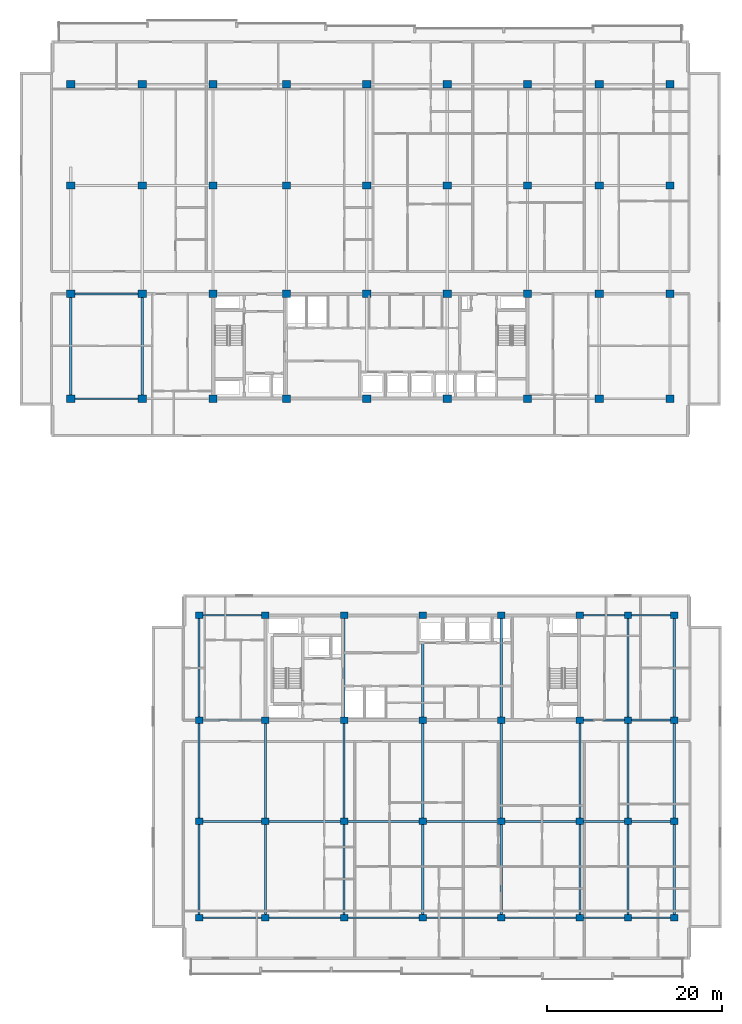
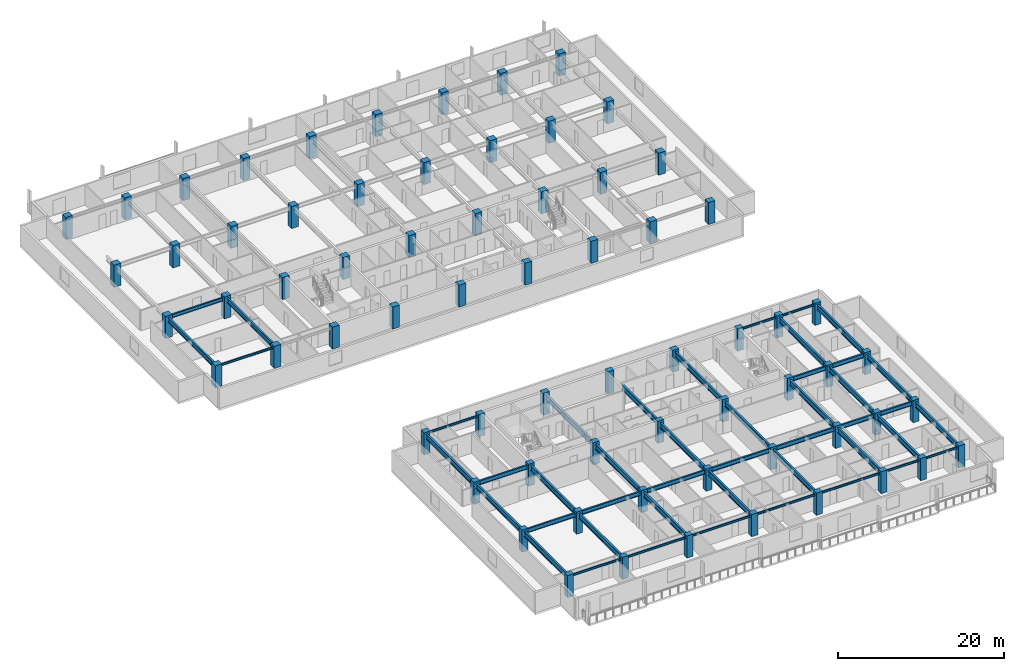
# One storey, part 1 of 22: 68 columns, 46 beams.
"""IFC4 building model written with IfcOpenShell, lengths in metres."""

from ifc_helpers import new_model, si_unit, direction, frame, origin, origin_2d, place, context, subcontext, project, spatial, rectangle, i_section, extrude, material, material_profile, profile_set, type_object, element, save


model = new_model("IFC4")

# Units and contexts
model_context = context("Model", 3, precision=1e-05, world=origin(), true_north=direction((0.0, 1.0)))
body_context = subcontext(model_context, "Body", "Model", "MODEL_VIEW")
ifc_project = project(units=[si_unit("LENGTHUNIT", "METRE"), si_unit("AREAUNIT", "SQUARE_METRE"), si_unit("VOLUMEUNIT", "CUBIC_METRE"), si_unit("PLANEANGLEUNIT", "RADIAN"), si_unit("MASSUNIT", "GRAM", prefix="KILO")], contexts=[model_context])

# Site, building, storey
site_placement = place(None, origin())
site = spatial("IfcSite", under=ifc_project, at=site_placement, CompositionType="ELEMENT")
building_placement = place(site_placement, origin())
building = spatial("IfcBuilding", under=site, at=building_placement, Name="Korimba Cascade Residences", CompositionType="ELEMENT")
storey_placement = place(building_placement, frame((0.0, 0.0, 110.050048828125)))
storey = spatial("IfcBuildingStorey", under=building, at=storey_placement, Name="L31", CompositionType="ELEMENT", Elevation=110.050048828125)

# Columns
ifc_material_1 = material(Name="Concrete C65/80", Category="concrete")
ifc_material_profile_1 = material_profile(ifc_material_1, rectangle(XDim=0.85009765625, YDim=0.75, at=origin_2d()), Name="Concrete C65/80")
ifc_profile_set_1 = profile_set([ifc_material_profile_1], Name="Concrete C65/80")
column_type_1 = type_object("IfcColumnType", Name="COL-RC-850", PredefinedType="COLUMN", material=ifc_profile_set_1)
for number, where, z_axis, x_axis, name in (
    (1, (74.5, -4.199951171875, 0.0), (0.0, 0.0, 1.0), (1.0, 0.0, 0.0), "L31 Tower 2 Column 1.1"),
    (2, (74.5, 6.800048828125, 0.0), (0.0, 0.0, 1.0), (1.0, 0.0, 0.0), "L31 Tower 2 Column 1.2"),
    (3, (74.5, 18.39990234375, 0.0), (0.0, 0.0, 1.0), (1.0, 0.0, 0.0), "L31 Tower 2 Column 1.3"),
    (4, (74.5, 30.39990234375, 0.0), (0.0, 0.0, 1.0), (1.0, 0.0, 0.0), "L31 Tower 2 Column 1.4"),
    (5, (82.10009765625, -4.199951171875, 0.0), (0.0, 0.0, 1.0), (1.0, 0.0, 0.0), "L31 Tower 2 Column 2.1"),
    (6, (82.10009765625, 6.800048828125, 0.0), (0.0, 0.0, 1.0), (1.0, 0.0, 0.0), "L31 Tower 2 Column 2.2"),
    (7, (82.10009765625, 18.39990234375, 0.0), (0.0, 0.0, 1.0), (1.0, 0.0, 0.0), "L31 Tower 2 Column 2.3"),
    (8, (82.10009765625, 30.39990234375, 0.0), (0.0, 0.0, 1.0), (1.0, 0.0, 0.0), "L31 Tower 2 Column 2.4"),
    (9, (91.10009765625, -4.199951171875, 0.0), (0.0, 0.0, 1.0), (1.0, 0.0, 0.0), "L31 Tower 2 Column 3.1"),
    (10, (91.10009765625, 6.800048828125, 0.0), (0.0, 0.0, 1.0), (1.0, 0.0, 0.0), "L31 Tower 2 Column 3.2"),
    (11, (91.10009765625, 18.39990234375, 0.0), (0.0, 0.0, 1.0), (1.0, 0.0, 0.0), "L31 Tower 2 Column 3.3"),
    (12, (91.10009765625, 30.39990234375, 0.0), (0.0, 0.0, 1.0), (1.0, 0.0, 0.0), "L31 Tower 2 Column 3.4"),
    (13, (100.10009765625, -4.199951171875, 0.0), (0.0, 0.0, 1.0), (1.0, 0.0, 0.0), "L31 Tower 2 Column 4.1"),
    (14, (100.10009765625, 6.800048828125, 0.0), (0.0, 0.0, 1.0), (1.0, 0.0, 0.0), "L31 Tower 2 Column 4.2"),
    (15, (100.10009765625, 18.39990234375, 0.0), (0.0, 0.0, 1.0), (1.0, 0.0, 0.0), "L31 Tower 2 Column 4.3"),
    (16, (100.10009765625, 30.39990234375, 0.0), (0.0, 0.0, 1.0), (1.0, 0.0, 0.0), "L31 Tower 2 Column 4.4"),
    (17, (109.10009765625, -4.199951171875, 0.0), (0.0, 0.0, 1.0), (1.0, 0.0, 0.0), "L31 Tower 2 Column 5.1"),
    (18, (109.10009765625, 6.800048828125, 0.0), (0.0, 0.0, 1.0), (1.0, 0.0, 0.0), "L31 Tower 2 Column 5.2"),
    (19, (109.10009765625, 18.39990234375, 0.0), (0.0, 0.0, 1.0), (1.0, 0.0, 0.0), "L31 Tower 2 Column 5.3"),
    (20, (109.10009765625, 30.39990234375, 0.0), (0.0, 0.0, 1.0), (1.0, 0.0, 0.0), "L31 Tower 2 Column 5.4"),
    (21, (118.10009765625, -4.199951171875, 0.0), (0.0, 0.0, 1.0), (1.0, 0.0, 0.0), "L31 Tower 2 Column 6.1"),
    (22, (118.10009765625, 6.800048828125, 0.0), (0.0, 0.0, 1.0), (1.0, 0.0, 0.0), "L31 Tower 2 Column 6.2"),
    (23, (118.10009765625, 18.39990234375, 0.0), (0.0, 0.0, 1.0), (1.0, 0.0, 0.0), "L31 Tower 2 Column 6.3"),
    (24, (118.10009765625, 30.39990234375, 0.0), (0.0, 0.0, 1.0), (1.0, 0.0, 0.0), "L31 Tower 2 Column 6.4"),
    (25, (123.60009765625, -4.199951171875, 0.0), (0.0, 0.0, 1.0), (1.0, 0.0, 0.0), "L31 Tower 2 Column 7.1"),
    (26, (123.60009765625, 6.800048828125, 0.0), (0.0, 0.0, 1.0), (1.0, 0.0, 0.0), "L31 Tower 2 Column 7.2"),
    (27, (123.60009765625, 18.39990234375, 0.0), (0.0, 0.0, 1.0), (1.0, 0.0, 0.0), "L31 Tower 2 Column 7.3"),
    (28, (123.60009765625, 30.39990234375, 0.0), (0.0, 0.0, 1.0), (1.0, 0.0, 0.0), "L31 Tower 2 Column 7.4"),
    (29, (128.89990234375, -4.199951171875, 0.0), (0.0, 0.0, 1.0), (1.0, 0.0, 0.0), "L31 Tower 2 Column 8.1"),
    (30, (128.89990234375, 6.800048828125, 0.0), (0.0, 0.0, 1.0), (1.0, 0.0, 0.0), "L31 Tower 2 Column 8.2"),
    (31, (128.89990234375, 18.39990234375, 0.0), (0.0, 0.0, 1.0), (1.0, 0.0, 0.0), "L31 Tower 2 Column 8.3"),
    (32, (128.89990234375, 30.39990234375, 0.0), (0.0, 0.0, 1.0), (1.0, 0.0, 0.0), "L31 Tower 2 Column 8.4"),
):
    element("IfcColumn", number, at=place(storey_placement, frame(where, z_axis=z_axis, x_axis=x_axis)), inside=storey, type_object=column_type_1, Name=name, PredefinedType="COLUMN", context=body_context, shape_type="SweptSolid", body=[
        extrude(rectangle(XDim=0.85009765625, YDim=0.75, at=origin_2d()), origin(), (0.0, 0.0, 1.0), 3.25),
    ])
ifc_material_profile_2 = material_profile(ifc_material_1, rectangle(XDim=0.949951171875, YDim=0.85009765625, at=origin_2d()), Name="Concrete C65/80")
ifc_profile_set_2 = profile_set([ifc_material_profile_2], Name="Concrete C65/80")
column_type_2 = type_object("IfcColumnType", Name="COL-RC-950", PredefinedType="COLUMN", material=ifc_profile_set_2)
for number, where, z_axis, x_axis, name in (
    (33, (59.800048828125, 55.199951171875, 0.0), (0.0, 0.0, 1.0), (1.0, 0.0, 0.0), "L31 Tower 1 Column 1.1"),
    (34, (59.800048828125, 67.199951171875, 0.0), (0.0, 0.0, 1.0), (1.0, 0.0, 0.0), "L31 Tower 1 Column 1.2"),
    (35, (59.800048828125, 79.60009765625, 0.0), (0.0, 0.0, 1.0), (1.0, 0.0, 0.0), "L31 Tower 1 Column 1.3"),
    (36, (59.800048828125, 91.199951171875, 0.0), (0.0, 0.0, 1.0), (1.0, 0.0, 0.0), "L31 Tower 1 Column 1.4"),
    (37, (68.0, 55.199951171875, 0.0), (0.0, 0.0, 1.0), (1.0, 0.0, 0.0), "L31 Tower 1 Column 2.1"),
    (38, (68.0, 67.199951171875, 0.0), (0.0, 0.0, 1.0), (1.0, 0.0, 0.0), "L31 Tower 1 Column 2.2"),
    (39, (68.0, 79.60009765625, 0.0), (0.0, 0.0, 1.0), (1.0, 0.0, 0.0), "L31 Tower 1 Column 2.3"),
    (40, (68.0, 91.199951171875, 0.0), (0.0, 0.0, 1.0), (1.0, 0.0, 0.0), "L31 Tower 1 Column 2.4"),
    (41, (76.10009765625, 55.199951171875, 0.0), (0.0, 0.0, 1.0), (1.0, 0.0, 0.0), "L31 Tower 1 Column 3.1"),
    (42, (76.10009765625, 67.199951171875, 0.0), (0.0, 0.0, 1.0), (1.0, 0.0, 0.0), "L31 Tower 1 Column 3.2"),
    (43, (76.10009765625, 79.60009765625, 0.0), (0.0, 0.0, 1.0), (1.0, 0.0, 0.0), "L31 Tower 1 Column 3.3"),
    (44, (76.10009765625, 91.199951171875, 0.0), (0.0, 0.0, 1.0), (1.0, 0.0, 0.0), "L31 Tower 1 Column 3.4"),
    (45, (84.5, 55.199951171875, 0.0), (0.0, 0.0, 1.0), (1.0, 0.0, 0.0), "L31 Tower 1 Column 4.1"),
    (46, (84.5, 67.199951171875, 0.0), (0.0, 0.0, 1.0), (1.0, 0.0, 0.0), "L31 Tower 1 Column 4.2"),
    (47, (84.5, 79.60009765625, 0.0), (0.0, 0.0, 1.0), (1.0, 0.0, 0.0), "L31 Tower 1 Column 4.3"),
    (48, (84.5, 91.199951171875, 0.0), (0.0, 0.0, 1.0), (1.0, 0.0, 0.0), "L31 Tower 1 Column 4.4"),
    (49, (93.699951171875, 55.199951171875, 0.0), (0.0, 0.0, 1.0), (1.0, 0.0, 0.0), "L31 Tower 1 Column 5.1"),
    (50, (93.699951171875, 67.199951171875, 0.0), (0.0, 0.0, 1.0), (1.0, 0.0, 0.0), "L31 Tower 1 Column 5.2"),
    (51, (93.699951171875, 79.60009765625, 0.0), (0.0, 0.0, 1.0), (1.0, 0.0, 0.0), "L31 Tower 1 Column 5.3"),
    (52, (93.699951171875, 91.199951171875, 0.0), (0.0, 0.0, 1.0), (1.0, 0.0, 0.0), "L31 Tower 1 Column 5.4"),
    (53, (102.89990234375, 55.199951171875, 0.0), (0.0, 0.0, 1.0), (1.0, 0.0, 0.0), "L31 Tower 1 Column 6.1"),
    (54, (102.89990234375, 67.199951171875, 0.0), (0.0, 0.0, 1.0), (1.0, 0.0, 0.0), "L31 Tower 1 Column 6.2"),
    (55, (102.89990234375, 79.60009765625, 0.0), (0.0, 0.0, 1.0), (1.0, 0.0, 0.0), "L31 Tower 1 Column 6.3"),
    (56, (102.89990234375, 91.199951171875, 0.0), (0.0, 0.0, 1.0), (1.0, 0.0, 0.0), "L31 Tower 1 Column 6.4"),
    (57, (112.10009765625, 55.199951171875, 0.0), (0.0, 0.0, 1.0), (1.0, 0.0, 0.0), "L31 Tower 1 Column 7.1"),
    (58, (112.10009765625, 67.199951171875, 0.0), (0.0, 0.0, 1.0), (1.0, 0.0, 0.0), "L31 Tower 1 Column 7.2"),
    (59, (112.10009765625, 79.60009765625, 0.0), (0.0, 0.0, 1.0), (1.0, 0.0, 0.0), "L31 Tower 1 Column 7.3"),
    (60, (112.10009765625, 91.199951171875, 0.0), (0.0, 0.0, 1.0), (1.0, 0.0, 0.0), "L31 Tower 1 Column 7.4"),
    (61, (120.300048828125, 55.199951171875, 0.0), (0.0, 0.0, 1.0), (1.0, 0.0, 0.0), "L31 Tower 1 Column 8.1"),
    (62, (120.300048828125, 67.199951171875, 0.0), (0.0, 0.0, 1.0), (1.0, 0.0, 0.0), "L31 Tower 1 Column 8.2"),
    (63, (120.300048828125, 79.60009765625, 0.0), (0.0, 0.0, 1.0), (1.0, 0.0, 0.0), "L31 Tower 1 Column 8.3"),
    (64, (120.300048828125, 91.199951171875, 0.0), (0.0, 0.0, 1.0), (1.0, 0.0, 0.0), "L31 Tower 1 Column 8.4"),
    (65, (128.39990234375, 55.199951171875, 0.0), (0.0, 0.0, 1.0), (1.0, 0.0, 0.0), "L31 Tower 1 Column 9.1"),
    (66, (128.39990234375, 67.199951171875, 0.0), (0.0, 0.0, 1.0), (1.0, 0.0, 0.0), "L31 Tower 1 Column 9.2"),
    (67, (128.39990234375, 79.60009765625, 0.0), (0.0, 0.0, 1.0), (1.0, 0.0, 0.0), "L31 Tower 1 Column 9.3"),
    (68, (128.39990234375, 91.199951171875, 0.0), (0.0, 0.0, 1.0), (1.0, 0.0, 0.0), "L31 Tower 1 Column 9.4"),
):
    element("IfcColumn", number, at=place(storey_placement, frame(where, z_axis=z_axis, x_axis=x_axis)), inside=storey, type_object=column_type_2, Name=name, PredefinedType="COLUMN", context=body_context, shape_type="SweptSolid", body=[
        extrude(rectangle(XDim=0.949951171875, YDim=0.85009765625, at=origin_2d()), origin(), (0.0, 0.0, 1.0), 3.25),
    ])

# Beams
ifc_material_2 = material(Name="Steel S355", Category="steel")
ifc_material_profile_3 = material_profile(ifc_material_2, i_section(OverallWidth=0.165771484375, OverallDepth=0.306640625, WebThickness=0.006591796875, FlangeThickness=0.01171875, FilletRadius=0.0087890625, at=origin_2d()), Name="Steel S355")
ifc_profile_set_3 = profile_set([ifc_material_profile_3], Name="Steel S355")
beam_type_1 = type_object("IfcBeamType", Name="BM-STL-UB305", PredefinedType="SPANDREL", material=ifc_profile_set_3)
beam_1_placement = place(storey_placement, frame((60.27490234375, 55.199951171875, 2.816650390625), z_axis=(1.0, 0.0, 0.0), x_axis=(0.0, 1.0, 0.0)))
element("IfcBeam", 69, at=beam_1_placement, inside=storey, type_object=beam_type_1, Name="L31 T1 E-W Girder Y1 Bay 1", PredefinedType="SPANDREL", context=body_context, shape_type="SweptSolid", body=[
    extrude(i_section(OverallWidth=0.165771484375, OverallDepth=0.306640625, WebThickness=0.006591796875, FlangeThickness=0.01171875, FilletRadius=0.0087890625, at=origin_2d()), origin(), (0.0, 0.0, 1.0), 7.25),
])
beam_2_placement = place(storey_placement, frame((74.925048828125, -4.199951171875, 2.816650390625), z_axis=(1.0, 0.0, 0.0), x_axis=(0.0, 1.0, 0.0)))
element("IfcBeam", 70, at=beam_2_placement, inside=storey, type_object=beam_type_1, Name="L31 T2 E-W Girder Y1 Bay 1", PredefinedType="SPANDREL", context=body_context, shape_type="SweptSolid", body=[
    extrude(i_section(OverallWidth=0.165771484375, OverallDepth=0.306640625, WebThickness=0.006591796875, FlangeThickness=0.01171875, FilletRadius=0.0087890625, at=origin_2d()), origin(), (0.0, 0.0, 1.0), 6.75),
])
for number, where, z_axis, x_axis, name in (
    (71, (82.52490234375, -4.199951171875, 2.816650390625), (1.0, 0.0, 0.0), (0.0, 1.0, 0.0), "L31 T2 E-W Girder Y1 Bay 2"),
    (72, (91.52490234375, -4.199951171875, 2.816650390625), (1.0, 0.0, 0.0), (0.0, 1.0, 0.0), "L31 T2 E-W Girder Y1 Bay 3"),
    (73, (100.52490234375, -4.199951171875, 2.816650390625), (1.0, 0.0, 0.0), (0.0, 1.0, 0.0), "L31 T2 E-W Girder Y1 Bay 4"),
    (74, (109.52490234375, -4.199951171875, 2.816650390625), (1.0, 0.0, 0.0), (0.0, 1.0, 0.0), "L31 T2 E-W Girder Y1 Bay 5"),
):
    element("IfcBeam", number, at=place(storey_placement, frame(where, z_axis=z_axis, x_axis=x_axis)), inside=storey, type_object=beam_type_1, Name=name, PredefinedType="SPANDREL", context=body_context, shape_type="SweptSolid", body=[
        extrude(i_section(OverallWidth=0.165771484375, OverallDepth=0.306640625, WebThickness=0.006591796875, FlangeThickness=0.01171875, FilletRadius=0.0087890625, at=origin_2d()), origin(), (0.0, 0.0, 1.0), 8.150146484375),
    ])
beam_3_placement = place(storey_placement, frame((118.52490234375, -4.199951171875, 2.816650390625), z_axis=(1.0, 0.0, 0.0), x_axis=(0.0, 1.0, 0.0)))
element("IfcBeam", 75, at=beam_3_placement, inside=storey, type_object=beam_type_1, Name="L31 T2 E-W Girder Y1 Bay 6", PredefinedType="SPANDREL", context=body_context, shape_type="SweptSolid", body=[
    extrude(i_section(OverallWidth=0.165771484375, OverallDepth=0.306640625, WebThickness=0.006591796875, FlangeThickness=0.01171875, FilletRadius=0.0087890625, at=origin_2d()), origin(), (0.0, 0.0, 1.0), 4.650146484375),
])
beam_4_placement = place(storey_placement, frame((124.02490234375, -4.199951171875, 2.816650390625), z_axis=(1.0, 0.0, 0.0), x_axis=(0.0, 1.0, 0.0)))
element("IfcBeam", 76, at=beam_4_placement, inside=storey, type_object=beam_type_1, Name="L31 T2 E-W Girder Y1 Bay 7", PredefinedType="SPANDREL", context=body_context, shape_type="SweptSolid", body=[
    extrude(i_section(OverallWidth=0.165771484375, OverallDepth=0.306640625, WebThickness=0.006591796875, FlangeThickness=0.01171875, FilletRadius=0.0087890625, at=origin_2d()), origin(), (0.0, 0.0, 1.0), 4.4501953125),
])
beam_5_placement = place(storey_placement, frame((74.925048828125, 30.39990234375, 2.816650390625), z_axis=(1.0, 0.0, 0.0), x_axis=(0.0, 1.0, 0.0)))
element("IfcBeam", 77, at=beam_5_placement, inside=storey, type_object=beam_type_1, Name="L31 T2 E-W Girder Y4 Bay 1", PredefinedType="SPANDREL", context=body_context, shape_type="SweptSolid", body=[
    extrude(i_section(OverallWidth=0.165771484375, OverallDepth=0.306640625, WebThickness=0.006591796875, FlangeThickness=0.01171875, FilletRadius=0.0087890625, at=origin_2d()), origin(), (0.0, 0.0, 1.0), 6.75),
])
beam_6_placement = place(storey_placement, frame((118.52490234375, 30.39990234375, 2.816650390625), z_axis=(1.0, 0.0, 0.0), x_axis=(0.0, 1.0, 0.0)))
element("IfcBeam", 78, at=beam_6_placement, inside=storey, type_object=beam_type_1, Name="L31 T2 E-W Girder Y4 Bay 6", PredefinedType="SPANDREL", context=body_context, shape_type="SweptSolid", body=[
    extrude(i_section(OverallWidth=0.165771484375, OverallDepth=0.306640625, WebThickness=0.006591796875, FlangeThickness=0.01171875, FilletRadius=0.0087890625, at=origin_2d()), origin(), (0.0, 0.0, 1.0), 4.650146484375),
])
beam_7_placement = place(storey_placement, frame((124.02490234375, 30.39990234375, 2.816650390625), z_axis=(1.0, 0.0, 0.0), x_axis=(0.0, 1.0, 0.0)))
element("IfcBeam", 79, at=beam_7_placement, inside=storey, type_object=beam_type_1, Name="L31 T2 E-W Girder Y4 Bay 7", PredefinedType="SPANDREL", context=body_context, shape_type="SweptSolid", body=[
    extrude(i_section(OverallWidth=0.165771484375, OverallDepth=0.306640625, WebThickness=0.006591796875, FlangeThickness=0.01171875, FilletRadius=0.0087890625, at=origin_2d()), origin(), (0.0, 0.0, 1.0), 4.4501953125),
])
ifc_material_profile_4 = material_profile(ifc_material_2, i_section(OverallWidth=0.2099609375, OverallDepth=0.53662109375, WebThickness=0.0107421875, FlangeThickness=0.017333984375, FilletRadius=0.0126953125, at=origin_2d()), Name="Steel S355")
ifc_profile_set_4 = profile_set([ifc_material_profile_4], Name="Steel S355")
beam_type_2 = type_object("IfcBeamType", Name="BM-STL-UB533", PredefinedType="BEAM", material=ifc_profile_set_4)
beam_8_placement = place(storey_placement, frame((60.27490234375, 67.199951171875, 2.70166015625), z_axis=(1.0, 0.0, 0.0), x_axis=(0.0, 1.0, 0.0)))
element("IfcBeam", 80, at=beam_8_placement, inside=storey, type_object=beam_type_2, Name="L31 T1 E-W Girder Y2 Bay 1", PredefinedType="BEAM", context=body_context, shape_type="SweptSolid", body=[
    extrude(i_section(OverallWidth=0.2099609375, OverallDepth=0.53662109375, WebThickness=0.0107421875, FlangeThickness=0.017333984375, FilletRadius=0.0126953125, at=origin_2d()), origin(), (0.0, 0.0, 1.0), 7.25),
])
ifc_material_profile_5 = material_profile(ifc_material_2, i_section(OverallWidth=0.22900390625, OverallDepth=0.6123046875, WebThickness=0.011962890625, FlangeThickness=0.01953125, FilletRadius=0.0126953125, at=origin_2d()), Name="Steel S355")
ifc_profile_set_5 = profile_set([ifc_material_profile_5], Name="Steel S355")
beam_type_3 = type_object("IfcBeamType", Name="BM-STL-UB610B", PredefinedType="BEAM", material=ifc_profile_set_5)
beam_9_placement = place(storey_placement, frame((74.925048828125, 6.800048828125, 2.663818359375), z_axis=(1.0, 0.0, 0.0), x_axis=(0.0, 1.0, 0.0)))
element("IfcBeam", 81, at=beam_9_placement, inside=storey, type_object=beam_type_3, Name="L31 T2 E-W Girder Y2 Bay 1", PredefinedType="BEAM", context=body_context, shape_type="SweptSolid", body=[
    extrude(i_section(OverallWidth=0.22900390625, OverallDepth=0.6123046875, WebThickness=0.011962890625, FlangeThickness=0.01953125, FilletRadius=0.0126953125, at=origin_2d()), origin(), (0.0, 0.0, 1.0), 6.75),
])
for number, where, z_axis, x_axis, name in (
    (82, (82.52490234375, 6.800048828125, 2.663818359375), (1.0, 0.0, 0.0), (0.0, 1.0, 0.0), "L31 T2 E-W Girder Y2 Bay 2"),
    (83, (91.52490234375, 6.800048828125, 2.663818359375), (1.0, 0.0, 0.0), (0.0, 1.0, 0.0), "L31 T2 E-W Girder Y2 Bay 3"),
    (84, (100.52490234375, 6.800048828125, 2.663818359375), (1.0, 0.0, 0.0), (0.0, 1.0, 0.0), "L31 T2 E-W Girder Y2 Bay 4"),
    (85, (109.52490234375, 6.800048828125, 2.663818359375), (1.0, 0.0, 0.0), (0.0, 1.0, 0.0), "L31 T2 E-W Girder Y2 Bay 5"),
):
    element("IfcBeam", number, at=place(storey_placement, frame(where, z_axis=z_axis, x_axis=x_axis)), inside=storey, type_object=beam_type_3, Name=name, PredefinedType="BEAM", context=body_context, shape_type="SweptSolid", body=[
        extrude(i_section(OverallWidth=0.22900390625, OverallDepth=0.6123046875, WebThickness=0.011962890625, FlangeThickness=0.01953125, FilletRadius=0.0126953125, at=origin_2d()), origin(), (0.0, 0.0, 1.0), 8.150146484375),
    ])
beam_10_placement = place(storey_placement, frame((118.52490234375, 6.800048828125, 2.663818359375), z_axis=(1.0, 0.0, 0.0), x_axis=(0.0, 1.0, 0.0)))
element("IfcBeam", 86, at=beam_10_placement, inside=storey, type_object=beam_type_3, Name="L31 T2 E-W Girder Y2 Bay 6", PredefinedType="BEAM", context=body_context, shape_type="SweptSolid", body=[
    extrude(i_section(OverallWidth=0.22900390625, OverallDepth=0.6123046875, WebThickness=0.011962890625, FlangeThickness=0.01953125, FilletRadius=0.0126953125, at=origin_2d()), origin(), (0.0, 0.0, 1.0), 4.650146484375),
])
beam_11_placement = place(storey_placement, frame((124.02490234375, 6.800048828125, 2.663818359375), z_axis=(1.0, 0.0, 0.0), x_axis=(0.0, 1.0, 0.0)))
element("IfcBeam", 87, at=beam_11_placement, inside=storey, type_object=beam_type_3, Name="L31 T2 E-W Girder Y2 Bay 7", PredefinedType="BEAM", context=body_context, shape_type="SweptSolid", body=[
    extrude(i_section(OverallWidth=0.22900390625, OverallDepth=0.6123046875, WebThickness=0.011962890625, FlangeThickness=0.01953125, FilletRadius=0.0126953125, at=origin_2d()), origin(), (0.0, 0.0, 1.0), 4.4501953125),
])
beam_12_placement = place(storey_placement, frame((74.925048828125, 18.39990234375, 2.663818359375), z_axis=(1.0, 0.0, 0.0), x_axis=(0.0, 1.0, 0.0)))
element("IfcBeam", 88, at=beam_12_placement, inside=storey, type_object=beam_type_3, Name="L31 T2 E-W Girder Y3 Bay 1", PredefinedType="BEAM", context=body_context, shape_type="SweptSolid", body=[
    extrude(i_section(OverallWidth=0.22900390625, OverallDepth=0.6123046875, WebThickness=0.011962890625, FlangeThickness=0.01953125, FilletRadius=0.0126953125, at=origin_2d()), origin(), (0.0, 0.0, 1.0), 6.75),
])
beam_13_placement = place(storey_placement, frame((118.52490234375, 18.39990234375, 2.663818359375), z_axis=(1.0, 0.0, 0.0), x_axis=(0.0, 1.0, 0.0)))
element("IfcBeam", 89, at=beam_13_placement, inside=storey, type_object=beam_type_3, Name="L31 T2 E-W Girder Y3 Bay 6", PredefinedType="BEAM", context=body_context, shape_type="SweptSolid", body=[
    extrude(i_section(OverallWidth=0.22900390625, OverallDepth=0.6123046875, WebThickness=0.011962890625, FlangeThickness=0.01953125, FilletRadius=0.0126953125, at=origin_2d()), origin(), (0.0, 0.0, 1.0), 4.650146484375),
])
beam_14_placement = place(storey_placement, frame((124.02490234375, 18.39990234375, 2.663818359375), z_axis=(1.0, 0.0, 0.0), x_axis=(0.0, 1.0, 0.0)))
element("IfcBeam", 90, at=beam_14_placement, inside=storey, type_object=beam_type_3, Name="L31 T2 E-W Girder Y3 Bay 7", PredefinedType="BEAM", context=body_context, shape_type="SweptSolid", body=[
    extrude(i_section(OverallWidth=0.22900390625, OverallDepth=0.6123046875, WebThickness=0.011962890625, FlangeThickness=0.01953125, FilletRadius=0.0126953125, at=origin_2d()), origin(), (0.0, 0.0, 1.0), 4.4501953125),
])
ifc_material_profile_6 = material_profile(ifc_material_2, i_section(OverallWidth=0.255859375, OverallDepth=0.69287109375, WebThickness=0.014404296875, FlangeThickness=0.023681640625, FilletRadius=0.01513671875, at=origin_2d()), Name="Steel S355")
ifc_profile_set_6 = profile_set([ifc_material_profile_6], Name="Steel S355")
beam_type_4 = type_object("IfcBeamType", Name="BM-STL-UB686", PredefinedType="BEAM", material=ifc_profile_set_6)
for number, where, z_axis, x_axis, name in (
    (91, (59.800048828125, 55.625, 2.62353515625), (0.0, 1.0, 0.0), (-1.0, 0.0, 0.0), "L31 T1 N-S Girder X1 Seg 1"),
    (92, (68.0, 55.625, 2.62353515625), (0.0, 1.0, 0.0), (-1.0, 0.0, 0.0), "L31 T1 N-S Girder X2 Seg 1"),
):
    element("IfcBeam", number, at=place(storey_placement, frame(where, z_axis=z_axis, x_axis=x_axis)), inside=storey, type_object=beam_type_4, Name=name, PredefinedType="BEAM", context=body_context, shape_type="SweptSolid", body=[
        extrude(i_section(OverallWidth=0.255859375, OverallDepth=0.69287109375, WebThickness=0.014404296875, FlangeThickness=0.023681640625, FilletRadius=0.01513671875, at=origin_2d()), origin(), (0.0, 0.0, 1.0), 11.14990234375),
    ])
ifc_material_profile_7 = material_profile(ifc_material_2, i_section(OverallWidth=0.26806640625, OverallDepth=0.769775390625, WebThickness=0.015625, FlangeThickness=0.025390625, FilletRadius=0.0166015625, at=origin_2d()), Name="Steel S355")
ifc_profile_set_7 = profile_set([ifc_material_profile_7], Name="Steel S355")
beam_type_5 = type_object("IfcBeamType", Name="BM-STL-UB762", PredefinedType="BEAM", material=ifc_profile_set_7)
beam_15_placement = place(storey_placement, frame((74.5, -3.824951171875, 2.5849609375), z_axis=(0.0, 1.0, 0.0), x_axis=(-1.0, 0.0, 0.0)))
element("IfcBeam", 93, at=beam_15_placement, inside=storey, type_object=beam_type_5, Name="L31 T2 N-S Girder X1 Seg 1", PredefinedType="BEAM", context=body_context, shape_type="SweptSolid", body=[
    extrude(i_section(OverallWidth=0.26806640625, OverallDepth=0.769775390625, WebThickness=0.015625, FlangeThickness=0.025390625, FilletRadius=0.0166015625, at=origin_2d()), origin(), (0.0, 0.0, 1.0), 10.25),
])
beam_16_placement = place(storey_placement, frame((74.5, 7.175048828125, 2.5849609375), z_axis=(0.0, 1.0, 0.0), x_axis=(-1.0, 0.0, 0.0)))
element("IfcBeam", 94, at=beam_16_placement, inside=storey, type_object=beam_type_5, Name="L31 T2 N-S Girder X1 Seg 2", PredefinedType="BEAM", context=body_context, shape_type="SweptSolid", body=[
    extrude(i_section(OverallWidth=0.26806640625, OverallDepth=0.769775390625, WebThickness=0.015625, FlangeThickness=0.025390625, FilletRadius=0.0166015625, at=origin_2d()), origin(), (0.0, 0.0, 1.0), 10.849853515625),
])
beam_17_placement = place(storey_placement, frame((74.5, 18.77490234375, 2.5849609375), z_axis=(0.0, 1.0, 0.0), x_axis=(-1.0, 0.0, 0.0)))
element("IfcBeam", 95, at=beam_17_placement, inside=storey, type_object=beam_type_5, Name="L31 T2 N-S Girder X1 Seg 3", PredefinedType="BEAM", context=body_context, shape_type="SweptSolid", body=[
    extrude(i_section(OverallWidth=0.26806640625, OverallDepth=0.769775390625, WebThickness=0.015625, FlangeThickness=0.025390625, FilletRadius=0.0166015625, at=origin_2d()), origin(), (0.0, 0.0, 1.0), 11.25),
])
beam_18_placement = place(storey_placement, frame((82.10009765625, -3.824951171875, 2.5849609375), z_axis=(0.0, 1.0, 0.0), x_axis=(-1.0, 0.0, 0.0)))
element("IfcBeam", 96, at=beam_18_placement, inside=storey, type_object=beam_type_5, Name="L31 T2 N-S Girder X2 Seg 1", PredefinedType="BEAM", context=body_context, shape_type="SweptSolid", body=[
    extrude(i_section(OverallWidth=0.26806640625, OverallDepth=0.769775390625, WebThickness=0.015625, FlangeThickness=0.025390625, FilletRadius=0.0166015625, at=origin_2d()), origin(), (0.0, 0.0, 1.0), 10.25),
])
beam_19_placement = place(storey_placement, frame((82.10009765625, 7.175048828125, 2.5849609375), z_axis=(0.0, 1.0, 0.0), x_axis=(-1.0, 0.0, 0.0)))
element("IfcBeam", 97, at=beam_19_placement, inside=storey, type_object=beam_type_5, Name="L31 T2 N-S Girder X2 Seg 2", PredefinedType="BEAM", context=body_context, shape_type="SweptSolid", body=[
    extrude(i_section(OverallWidth=0.26806640625, OverallDepth=0.769775390625, WebThickness=0.015625, FlangeThickness=0.025390625, FilletRadius=0.0166015625, at=origin_2d()), origin(), (0.0, 0.0, 1.0), 10.849853515625),
])
beam_20_placement = place(storey_placement, frame((91.10009765625, -3.824951171875, 2.5849609375), z_axis=(0.0, 1.0, 0.0), x_axis=(-1.0, 0.0, 0.0)))
element("IfcBeam", 98, at=beam_20_placement, inside=storey, type_object=beam_type_5, Name="L31 T2 N-S Girder X3 Seg 1", PredefinedType="BEAM", context=body_context, shape_type="SweptSolid", body=[
    extrude(i_section(OverallWidth=0.26806640625, OverallDepth=0.769775390625, WebThickness=0.015625, FlangeThickness=0.025390625, FilletRadius=0.0166015625, at=origin_2d()), origin(), (0.0, 0.0, 1.0), 10.25),
])
beam_21_placement = place(storey_placement, frame((91.10009765625, 7.175048828125, 2.5849609375), z_axis=(0.0, 1.0, 0.0), x_axis=(-1.0, 0.0, 0.0)))
element("IfcBeam", 99, at=beam_21_placement, inside=storey, type_object=beam_type_5, Name="L31 T2 N-S Girder X3 Seg 2", PredefinedType="BEAM", context=body_context, shape_type="SweptSolid", body=[
    extrude(i_section(OverallWidth=0.26806640625, OverallDepth=0.769775390625, WebThickness=0.015625, FlangeThickness=0.025390625, FilletRadius=0.0166015625, at=origin_2d()), origin(), (0.0, 0.0, 1.0), 10.849853515625),
])
beam_22_placement = place(storey_placement, frame((91.10009765625, 18.77490234375, 2.5849609375), z_axis=(0.0, 1.0, 0.0), x_axis=(-1.0, 0.0, 0.0)))
element("IfcBeam", 100, at=beam_22_placement, inside=storey, type_object=beam_type_5, Name="L31 T2 N-S Girder X3 Seg 3", PredefinedType="BEAM", context=body_context, shape_type="SweptSolid", body=[
    extrude(i_section(OverallWidth=0.26806640625, OverallDepth=0.769775390625, WebThickness=0.015625, FlangeThickness=0.025390625, FilletRadius=0.0166015625, at=origin_2d()), origin(), (0.0, 0.0, 1.0), 11.25),
])
beam_23_placement = place(storey_placement, frame((100.10009765625, -3.824951171875, 2.5849609375), z_axis=(0.0, 1.0, 0.0), x_axis=(-1.0, 0.0, 0.0)))
element("IfcBeam", 101, at=beam_23_placement, inside=storey, type_object=beam_type_5, Name="L31 T2 N-S Girder X4 Seg 1", PredefinedType="BEAM", context=body_context, shape_type="SweptSolid", body=[
    extrude(i_section(OverallWidth=0.26806640625, OverallDepth=0.769775390625, WebThickness=0.015625, FlangeThickness=0.025390625, FilletRadius=0.0166015625, at=origin_2d()), origin(), (0.0, 0.0, 1.0), 10.25),
])
beam_24_placement = place(storey_placement, frame((100.10009765625, 7.175048828125, 2.5849609375), z_axis=(0.0, 1.0, 0.0), x_axis=(-1.0, 0.0, 0.0)))
element("IfcBeam", 102, at=beam_24_placement, inside=storey, type_object=beam_type_5, Name="L31 T2 N-S Girder X4 Seg 2", PredefinedType="BEAM", context=body_context, shape_type="SweptSolid", body=[
    extrude(i_section(OverallWidth=0.26806640625, OverallDepth=0.769775390625, WebThickness=0.015625, FlangeThickness=0.025390625, FilletRadius=0.0166015625, at=origin_2d()), origin(), (0.0, 0.0, 1.0), 10.849853515625),
])
beam_25_placement = place(storey_placement, frame((100.10009765625, 18.77490234375, 2.5849609375), z_axis=(0.0, 1.0, 0.0), x_axis=(-1.0, 0.0, 0.0)))
element("IfcBeam", 103, at=beam_25_placement, inside=storey, type_object=beam_type_5, Name="L31 T2 N-S Girder X4 Seg 3", PredefinedType="BEAM", context=body_context, shape_type="SweptSolid", body=[
    extrude(i_section(OverallWidth=0.26806640625, OverallDepth=0.769775390625, WebThickness=0.015625, FlangeThickness=0.025390625, FilletRadius=0.0166015625, at=origin_2d()), origin(), (0.0, 0.0, 1.0), 8.565185546875),
])
beam_26_placement = place(storey_placement, frame((109.10009765625, -3.824951171875, 2.5849609375), z_axis=(0.0, 1.0, 0.0), x_axis=(-1.0, 0.0, 0.0)))
element("IfcBeam", 104, at=beam_26_placement, inside=storey, type_object=beam_type_5, Name="L31 T2 N-S Girder X5 Seg 1", PredefinedType="BEAM", context=body_context, shape_type="SweptSolid", body=[
    extrude(i_section(OverallWidth=0.26806640625, OverallDepth=0.769775390625, WebThickness=0.015625, FlangeThickness=0.025390625, FilletRadius=0.0166015625, at=origin_2d()), origin(), (0.0, 0.0, 1.0), 10.25),
])
beam_27_placement = place(storey_placement, frame((109.10009765625, 7.175048828125, 2.5849609375), z_axis=(0.0, 1.0, 0.0), x_axis=(-1.0, 0.0, 0.0)))
element("IfcBeam", 105, at=beam_27_placement, inside=storey, type_object=beam_type_5, Name="L31 T2 N-S Girder X5 Seg 2", PredefinedType="BEAM", context=body_context, shape_type="SweptSolid", body=[
    extrude(i_section(OverallWidth=0.26806640625, OverallDepth=0.769775390625, WebThickness=0.015625, FlangeThickness=0.025390625, FilletRadius=0.0166015625, at=origin_2d()), origin(), (0.0, 0.0, 1.0), 10.849853515625),
])
beam_28_placement = place(storey_placement, frame((109.10009765625, 18.77490234375, 2.5849609375), z_axis=(0.0, 1.0, 0.0), x_axis=(-1.0, 0.0, 0.0)))
element("IfcBeam", 106, at=beam_28_placement, inside=storey, type_object=beam_type_5, Name="L31 T2 N-S Girder X5 Seg 3", PredefinedType="BEAM", context=body_context, shape_type="SweptSolid", body=[
    extrude(i_section(OverallWidth=0.26806640625, OverallDepth=0.769775390625, WebThickness=0.015625, FlangeThickness=0.025390625, FilletRadius=0.0166015625, at=origin_2d()), origin(), (0.0, 0.0, 1.0), 11.25),
])
beam_29_placement = place(storey_placement, frame((118.10009765625, -3.824951171875, 2.5849609375), z_axis=(0.0, 1.0, 0.0), x_axis=(-1.0, 0.0, 0.0)))
element("IfcBeam", 107, at=beam_29_placement, inside=storey, type_object=beam_type_5, Name="L31 T2 N-S Girder X6 Seg 1", PredefinedType="BEAM", context=body_context, shape_type="SweptSolid", body=[
    extrude(i_section(OverallWidth=0.26806640625, OverallDepth=0.769775390625, WebThickness=0.015625, FlangeThickness=0.025390625, FilletRadius=0.0166015625, at=origin_2d()), origin(), (0.0, 0.0, 1.0), 10.25),
])
beam_30_placement = place(storey_placement, frame((118.10009765625, 7.175048828125, 2.5849609375), z_axis=(0.0, 1.0, 0.0), x_axis=(-1.0, 0.0, 0.0)))
element("IfcBeam", 108, at=beam_30_placement, inside=storey, type_object=beam_type_5, Name="L31 T2 N-S Girder X6 Seg 2", PredefinedType="BEAM", context=body_context, shape_type="SweptSolid", body=[
    extrude(i_section(OverallWidth=0.26806640625, OverallDepth=0.769775390625, WebThickness=0.015625, FlangeThickness=0.025390625, FilletRadius=0.0166015625, at=origin_2d()), origin(), (0.0, 0.0, 1.0), 10.849853515625),
])
beam_31_placement = place(storey_placement, frame((123.60009765625, -3.824951171875, 2.5849609375), z_axis=(0.0, 1.0, 0.0), x_axis=(-1.0, 0.0, 0.0)))
element("IfcBeam", 109, at=beam_31_placement, inside=storey, type_object=beam_type_5, Name="L31 T2 N-S Girder X7 Seg 1", PredefinedType="BEAM", context=body_context, shape_type="SweptSolid", body=[
    extrude(i_section(OverallWidth=0.26806640625, OverallDepth=0.769775390625, WebThickness=0.015625, FlangeThickness=0.025390625, FilletRadius=0.0166015625, at=origin_2d()), origin(), (0.0, 0.0, 1.0), 10.25),
])
beam_32_placement = place(storey_placement, frame((123.60009765625, 7.175048828125, 2.5849609375), z_axis=(0.0, 1.0, 0.0), x_axis=(-1.0, 0.0, 0.0)))
element("IfcBeam", 110, at=beam_32_placement, inside=storey, type_object=beam_type_5, Name="L31 T2 N-S Girder X7 Seg 2", PredefinedType="BEAM", context=body_context, shape_type="SweptSolid", body=[
    extrude(i_section(OverallWidth=0.26806640625, OverallDepth=0.769775390625, WebThickness=0.015625, FlangeThickness=0.025390625, FilletRadius=0.0166015625, at=origin_2d()), origin(), (0.0, 0.0, 1.0), 10.849853515625),
])
beam_33_placement = place(storey_placement, frame((123.60009765625, 18.77490234375, 2.5849609375), z_axis=(0.0, 1.0, 0.0), x_axis=(-1.0, 0.0, 0.0)))
element("IfcBeam", 111, at=beam_33_placement, inside=storey, type_object=beam_type_5, Name="L31 T2 N-S Girder X7 Seg 3", PredefinedType="BEAM", context=body_context, shape_type="SweptSolid", body=[
    extrude(i_section(OverallWidth=0.26806640625, OverallDepth=0.769775390625, WebThickness=0.015625, FlangeThickness=0.025390625, FilletRadius=0.0166015625, at=origin_2d()), origin(), (0.0, 0.0, 1.0), 11.25),
])
beam_34_placement = place(storey_placement, frame((128.89990234375, -3.824951171875, 2.5849609375), z_axis=(0.0, 1.0, 0.0), x_axis=(-1.0, 0.0, 0.0)))
element("IfcBeam", 112, at=beam_34_placement, inside=storey, type_object=beam_type_5, Name="L31 T2 N-S Girder X8 Seg 1", PredefinedType="BEAM", context=body_context, shape_type="SweptSolid", body=[
    extrude(i_section(OverallWidth=0.26806640625, OverallDepth=0.769775390625, WebThickness=0.015625, FlangeThickness=0.025390625, FilletRadius=0.0166015625, at=origin_2d()), origin(), (0.0, 0.0, 1.0), 10.25),
])
beam_35_placement = place(storey_placement, frame((128.89990234375, 7.175048828125, 2.5849609375), z_axis=(0.0, 1.0, 0.0), x_axis=(-1.0, 0.0, 0.0)))
element("IfcBeam", 113, at=beam_35_placement, inside=storey, type_object=beam_type_5, Name="L31 T2 N-S Girder X8 Seg 2", PredefinedType="BEAM", context=body_context, shape_type="SweptSolid", body=[
    extrude(i_section(OverallWidth=0.26806640625, OverallDepth=0.769775390625, WebThickness=0.015625, FlangeThickness=0.025390625, FilletRadius=0.0166015625, at=origin_2d()), origin(), (0.0, 0.0, 1.0), 10.849853515625),
])
beam_36_placement = place(storey_placement, frame((128.89990234375, 18.77490234375, 2.5849609375), z_axis=(0.0, 1.0, 0.0), x_axis=(-1.0, 0.0, 0.0)))
element("IfcBeam", 114, at=beam_36_placement, inside=storey, type_object=beam_type_5, Name="L31 T2 N-S Girder X8 Seg 3", PredefinedType="BEAM", context=body_context, shape_type="SweptSolid", body=[
    extrude(i_section(OverallWidth=0.26806640625, OverallDepth=0.769775390625, WebThickness=0.015625, FlangeThickness=0.025390625, FilletRadius=0.0166015625, at=origin_2d()), origin(), (0.0, 0.0, 1.0), 11.25),
])

save(model, "model.ifc")
